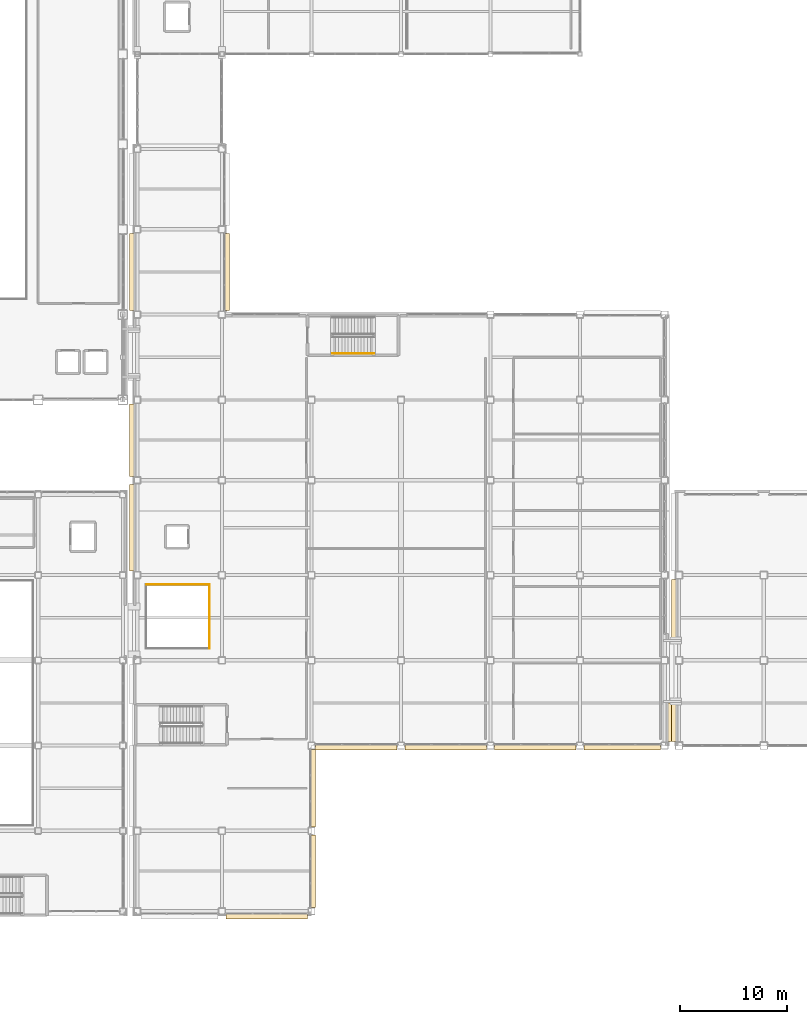
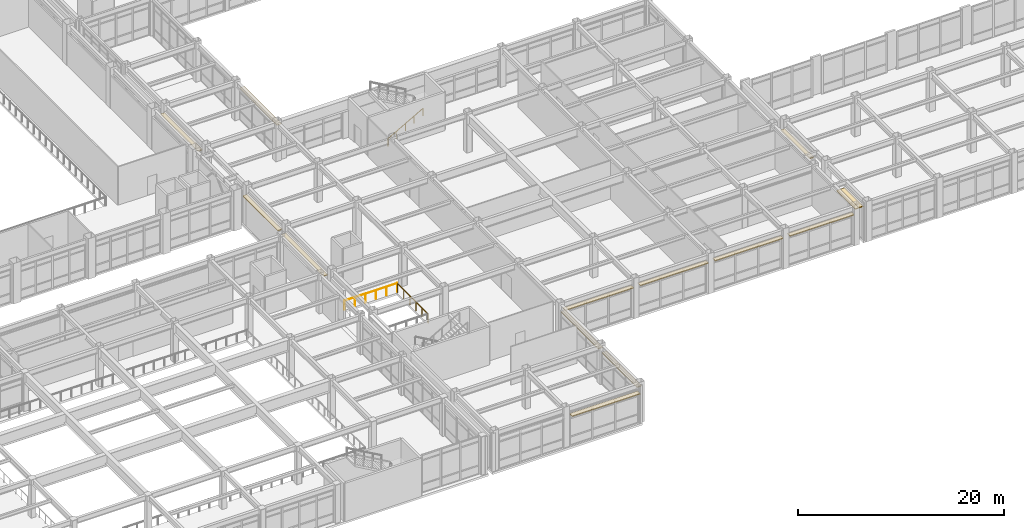
# One storey, part 159 of 172: 14 coverings, 3 railings.
"""IFC4 building model written with IfcOpenShell, lengths in metres."""

from ifc_helpers import new_model, si_unit, direction, frame, origin, origin_2d, place, context, subcontext, project, spatial, rectangle, circle, extrude, material, layer, layer_set, type_object, element, save


model = new_model("IFC4")

# Units and contexts
model_context = context("Model", 3, precision=1e-05, world=origin(), true_north=direction((0.0, 1.0)))
body_context = subcontext(model_context, "Body", "Model", "MODEL_VIEW")
ifc_project = project(units=[si_unit("LENGTHUNIT", "METRE"), si_unit("AREAUNIT", "SQUARE_METRE"), si_unit("VOLUMEUNIT", "CUBIC_METRE"), si_unit("PLANEANGLEUNIT", "RADIAN"), si_unit("MASSUNIT", "GRAM", prefix="KILO")], contexts=[model_context])

# Site, building, storey
site_placement = place(None, origin())
site = spatial("IfcSite", under=ifc_project, at=site_placement, CompositionType="ELEMENT")
building_placement = place(site_placement, origin())
building = spatial("IfcBuilding", under=site, at=building_placement, Name="Kazehara Bluff Congress Hotel", CompositionType="ELEMENT")
storey_placement = place(building_placement, frame((0.0, 0.0, 5.39990234375)))
storey = spatial("IfcBuildingStorey", under=building, at=storey_placement, Name="L01", CompositionType="ELEMENT", Elevation=5.39990234375)

# Coverings
ifc_material_1 = material(Name="Anodised aluminium architectural brise-soleil", Category="aluminium")
ifc_layer = layer(ifc_material_1, 0.10009765625)
ifc_layer_set = layer_set([ifc_layer], Name="Anodised aluminium architectural brise-soleil")
covering_type = type_object("IfcCoveringType", Name="TP-FAC-FIN", PredefinedType="CLADDING", material=ifc_layer_set)
covering_1_placement = place(storey_placement, frame((71.85009765625, -0.02001953125, 3.705078125), z_axis=(0.0, 0.0, 1.0), x_axis=(1.0, 0.0, 0.0)))
element("IfcCovering", 1, at=covering_1_placement, inside=storey, type_object=covering_type, Name="L01 V4 architectural sun-hood 36", PredefinedType="CLADDING", context=body_context, shape_type="SweptSolid", body=[
    extrude(rectangle(XDim=7.64990234375, YDim=0.52001953125, at=origin_2d()), origin(), (0.0, 0.0, 1.0), 0.10009765625),
])
covering_2_placement = place(storey_placement, frame((76.18994140625, 4.22509765625, 3.705078125), z_axis=(0.0, 0.0, 1.0), x_axis=(1.0, 0.0, 0.0)))
element("IfcCovering", 2, at=covering_2_placement, inside=storey, type_object=covering_type, Name="L01 V4 architectural sun-hood 37", PredefinedType="CLADDING", context=body_context, shape_type="SweptSolid", body=[
    extrude(rectangle(XDim=0.52001953125, YDim=6.800048828125, at=origin_2d()), origin(), (0.0, 0.0, 1.0), 0.10009765625),
])
covering_3_placement = place(storey_placement, frame((76.18994140625, 12.0, 3.705078125), z_axis=(0.0, 0.0, 1.0), x_axis=(1.0, 0.0, 0.0)))
element("IfcCovering", 3, at=covering_3_placement, inside=storey, type_object=covering_type, Name="L01 V4 architectural sun-hood 38", PredefinedType="CLADDING", context=body_context, shape_type="SweptSolid", body=[
    extrude(rectangle(XDim=0.52001953125, YDim=7.25, at=origin_2d()), origin(), (0.0, 0.0, 1.0), 0.10009765625),
])
for number, where, z_axis, x_axis, name in (
    (4, (80.25, 15.860107421875, 3.705078125), (0.0, 0.0, 1.0), (1.0, 0.0, 0.0), "L01 V4 architectural sun-hood 39"),
    (5, (88.64990234375, 15.860107421875, 3.705078125), (0.0, 0.0, 1.0), (1.0, 0.0, 0.0), "L01 V4 architectural sun-hood 40"),
    (6, (97.050048828125, 15.860107421875, 3.705078125), (0.0, 0.0, 1.0), (1.0, 0.0, 0.0), "L01 V4 architectural sun-hood 41"),
):
    element("IfcCovering", number, at=place(storey_placement, frame(where, z_axis=z_axis, x_axis=x_axis)), inside=storey, type_object=covering_type, Name=name, PredefinedType="CLADDING", context=body_context, shape_type="SweptSolid", body=[
        extrude(rectangle(XDim=7.64990234375, YDim=0.52001953125, at=origin_2d()), origin(), (0.0, 0.0, 1.0), 0.10009765625),
    ])
covering_4_placement = place(storey_placement, frame((105.22509765625, 15.860107421875, 3.705078125), z_axis=(0.0, 0.0, 1.0), x_axis=(1.0, 0.0, 0.0)))
element("IfcCovering", 7, at=covering_4_placement, inside=storey, type_object=covering_type, Name="L01 V4 architectural sun-hood 42", PredefinedType="CLADDING", context=body_context, shape_type="SweptSolid", body=[
    extrude(rectangle(XDim=7.199951171875, YDim=0.52001953125, at=origin_2d()), origin(), (0.0, 0.0, 1.0), 0.10009765625),
])
covering_5_placement = place(storey_placement, frame((109.669921875, 18.18994140625, 3.705078125), z_axis=(0.0, 0.0, 1.0), x_axis=(1.0, 0.0, 0.0)))
element("IfcCovering", 8, at=covering_5_placement, inside=storey, type_object=covering_type, Name="L01 V4 architectural sun-hood 43", PredefinedType="CLADDING", context=body_context, shape_type="SweptSolid", body=[
    extrude(rectangle(XDim=0.52001953125, YDim=3.625, at=origin_2d()), origin(), (0.0, 0.0, 1.0), 0.10009765625),
])
for number, where, z_axis, x_axis, name in (
    (9, (68.1201171875, 60.449951171875, 3.705078125), (0.0, 0.0, 1.0), (1.0, 0.0, 0.0), "L01 V4 architectural sun-hood 45"),
    (10, (59.22998046875, 60.449951171875, 3.705078125), (0.0, 0.0, 1.0), (1.0, 0.0, 0.0), "L01 V4 architectural sun-hood 47"),
):
    element("IfcCovering", number, at=place(storey_placement, frame(where, z_axis=z_axis, x_axis=x_axis)), inside=storey, type_object=covering_type, Name=name, PredefinedType="CLADDING", context=body_context, shape_type="SweptSolid", body=[
        extrude(rectangle(XDim=0.52001953125, YDim=7.25, at=origin_2d()), origin(), (0.0, 0.0, 1.0), 0.10009765625),
    ])
covering_6_placement = place(storey_placement, frame((59.22998046875, 36.449951171875, 3.705078125), z_axis=(0.0, 0.0, 1.0), x_axis=(1.0, 0.0, 0.0)))
element("IfcCovering", 11, at=covering_6_placement, inside=storey, type_object=covering_type, Name="L01 V4 architectural sun-hood 49", PredefinedType="CLADDING", context=body_context, shape_type="SweptSolid", body=[
    extrude(rectangle(XDim=0.52001953125, YDim=8.14990234375, at=origin_2d()), origin(), (0.0, 0.0, 1.0), 0.10009765625),
])
covering_7_placement = place(storey_placement, frame((59.22998046875, 44.675048828125, 3.705078125), z_axis=(0.0, 0.0, 1.0), x_axis=(1.0, 0.0, 0.0)))
element("IfcCovering", 12, at=covering_7_placement, inside=storey, type_object=covering_type, Name="L01 V4 architectural sun-hood 50", PredefinedType="CLADDING", context=body_context, shape_type="SweptSolid", body=[
    extrude(rectangle(XDim=0.52001953125, YDim=6.800048828125, at=origin_2d()), origin(), (0.0, 0.0, 1.0), 0.10009765625),
])
covering_8_placement = place(storey_placement, frame((110.080078125, 28.800048828125, 3.705078125), z_axis=(0.0, 0.0, 1.0), x_axis=(1.0, 0.0, 0.0)))
element("IfcCovering", 13, at=covering_8_placement, inside=storey, type_object=covering_type, Name="L01 V5 architectural sun-hood 78", PredefinedType="CLADDING", context=body_context, shape_type="SweptSolid", body=[
    extrude(rectangle(XDim=0.52001953125, YDim=5.60009765625, at=origin_2d()), origin(), (0.0, 0.0, 1.0), 0.10009765625),
])
covering_9_placement = place(storey_placement, frame((110.080078125, 18.199951171875, 3.705078125), z_axis=(0.0, 0.0, 1.0), x_axis=(1.0, 0.0, 0.0)))
element("IfcCovering", 14, at=covering_9_placement, inside=storey, type_object=covering_type, Name="L01 V5 architectural sun-hood 80", PredefinedType="CLADDING", context=body_context, shape_type="SweptSolid", body=[
    extrude(rectangle(XDim=0.52001953125, YDim=3.60009765625, at=origin_2d()), origin(), (0.0, 0.0, 1.0), 0.10009765625),
])

# Railings
ifc_material_2 = material(Name="Brushed stainless steel", Category="steel")
railing_type_1 = type_object("IfcRailingType", Name="TP-GRD-INT", PredefinedType="GUARDRAIL", material=ifc_material_2)
railing_1_placement = place(storey_placement, frame((66.5, 25.10009765625, 0.0)))
element("IfcRailing", 15, at=railing_1_placement, inside=storey, type_object=railing_type_1, Name="L01 V4-ATRM void guardrail E", PredefinedType="GUARDRAIL", context=body_context, shape_type="SweptSolid", body=[
    extrude(circle(Radius=0.02392578125, at=origin_2d()), frame((0.0, 0.0, 1.076171875), z_axis=(0.0, 1.0, 0.0), x_axis=(-1.0, 0.0, 0.0)), (0.0, 0.0, 1.0), 5.919921875),
    extrude(circle(Radius=0.02099609375, at=origin_2d()), origin(), (0.0, 0.0, 1.0), 1.052001953125),
    extrude(circle(Radius=0.02099609375, at=origin_2d()), frame((0.0, 1.18408203125, 0.0)), (0.0, 0.0, 1.0), 1.052001953125),
    extrude(circle(Radius=0.02099609375, at=origin_2d()), frame((0.0, 2.367919921875, 0.0)), (0.0, 0.0, 1.0), 1.052001953125),
    extrude(circle(Radius=0.02099609375, at=origin_2d()), frame((0.0, 3.552001953125, 0.0)), (0.0, 0.0, 1.0), 1.052001953125),
    extrude(circle(Radius=0.02099609375, at=origin_2d()), frame((0.0, 4.73583984375, 0.0)), (0.0, 0.0, 1.0), 1.052001953125),
    extrude(circle(Radius=0.02099609375, at=origin_2d()), frame((0.0, 5.919921875, 0.0)), (0.0, 0.0, 1.0), 1.052001953125),
])
railing_2_placement = place(storey_placement, frame((66.5, 31.10009765625, 0.0)))
element("IfcRailing", 16, at=railing_2_placement, inside=storey, type_object=railing_type_1, Name="L01 V4-ATRM void guardrail N", PredefinedType="GUARDRAIL", context=body_context, shape_type="SweptSolid", body=[
    extrude(circle(Radius=0.02392578125, at=origin_2d()), frame((0.0, 0.0, 1.076171875), z_axis=(-1.0, 0.0, 0.0), x_axis=(0.0, -1.0, 0.0)), (0.0, 0.0, 1.0), 5.919921875),
    extrude(circle(Radius=0.02099609375, at=origin_2d()), origin(), (0.0, 0.0, 1.0), 1.052001953125),
    extrude(circle(Radius=0.02099609375, at=origin_2d()), frame((-1.18408203125, 0.0, 0.0)), (0.0, 0.0, 1.0), 1.052001953125),
    extrude(circle(Radius=0.02099609375, at=origin_2d()), frame((-2.367919921875, 0.0, 0.0)), (0.0, 0.0, 1.0), 1.052001953125),
    extrude(circle(Radius=0.02099609375, at=origin_2d()), frame((-3.552001953125, 0.0, 0.0)), (0.0, 0.0, 1.0), 1.052001953125),
    extrude(circle(Radius=0.02099609375, at=origin_2d()), frame((-4.73583984375, 0.0, 0.0)), (0.0, 0.0, 1.0), 1.052001953125),
    extrude(circle(Radius=0.02099609375, at=origin_2d()), frame((-5.919921875, 0.0, 0.0)), (0.0, 0.0, 1.0), 1.052001953125),
])
ifc_material_3 = material(Name="Brushed stainless steel", Category="steel")
railing_type_2 = type_object("IfcRailingType", Name="TP-HR-INT", PredefinedType="HANDRAIL", material=ifc_material_3)
railing_3_placement = place(storey_placement, frame((78.0, 52.800048828125, 0.171630859375)))
element("IfcRailing", 17, at=railing_3_placement, inside=storey, type_object=railing_type_2, Name="L01 ST-09 stair handrail 1", PredefinedType="HANDRAIL", context=body_context, shape_type="SweptSolid", body=[
    extrude(circle(Radius=0.02392578125, at=origin_2d()), frame((0.0, 0.0, 0.8759765625), z_axis=(0.868243142124, 0.0, 0.496138938357), x_axis=(0.0, 1.0, 0.0)), (0.0, 0.0, 1.0), 4.49169921875),
    extrude(circle(Radius=0.02099609375, at=origin_2d()), origin(), (0.0, 0.0, 1.0), 0.851806640625),
    extrude(circle(Radius=0.02099609375, at=origin_2d()), frame((0.97509765625, 0.0, 0.55712890625)), (0.0, 0.0, 1.0), 0.851806640625),
    extrude(circle(Radius=0.02099609375, at=origin_2d()), frame((1.949951171875, 0.0, 1.1142578125)), (0.0, 0.0, 1.0), 0.851806640625),
    extrude(circle(Radius=0.02099609375, at=origin_2d()), frame((2.9248046875, 0.0, 1.67138671875)), (0.0, 0.0, 1.0), 0.851806640625),
    extrude(circle(Radius=0.02099609375, at=origin_2d()), frame((3.89990234375, 0.0, 2.228515625)), (0.0, 0.0, 1.0), 0.851806640625),
])

save(model, "model.ifc")
